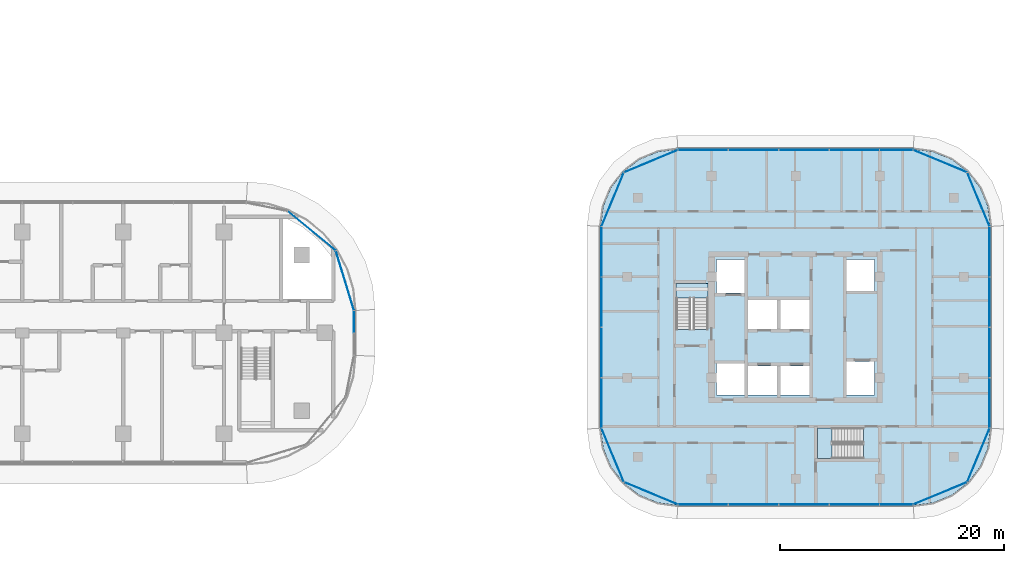
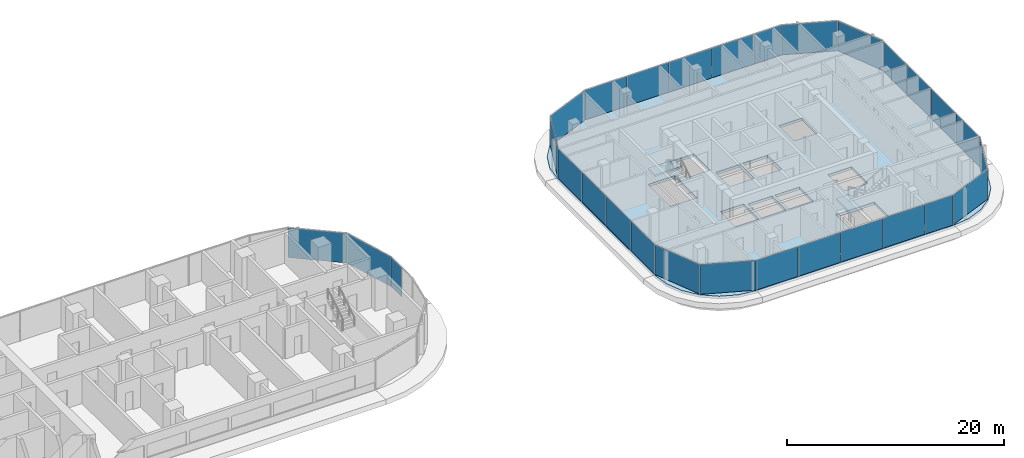
# One storey, part 16 of 36: 29 plates, 3 slabs, 12 elements without a shape of their own.
"""IFC4 building model written with IfcOpenShell, lengths in metres."""

from ifc_helpers import new_model, si_unit, direction, frame, origin, origin_2d, place, context, subcontext, project, spatial, polyline, rectangle, outline, extrude, material, layer, layer_set, type_object, element, aggregate, save


model = new_model("IFC4")

# Units and contexts
model_context = context("Model", 3, precision=1e-05, world=origin(), true_north=direction((0.0, 1.0)))
body_context = subcontext(model_context, "Body", "Model", "MODEL_VIEW")
ifc_project = project(units=[si_unit("LENGTHUNIT", "METRE"), si_unit("AREAUNIT", "SQUARE_METRE"), si_unit("VOLUMEUNIT", "CUBIC_METRE"), si_unit("PLANEANGLEUNIT", "RADIAN"), si_unit("MASSUNIT", "GRAM", prefix="KILO")], contexts=[model_context])

# Site, building, storey
site_placement = place(None, origin())
site = spatial("IfcSite", under=ifc_project, at=site_placement, CompositionType="ELEMENT")
building_placement = place(site_placement, origin())
building = spatial("IfcBuilding", under=site, at=building_placement, Name="Ogive Portal Towers", CompositionType="ELEMENT")
storey_placement = place(building_placement, frame((0.0, 0.0, 63.10009765625)))
storey = spatial("IfcBuildingStorey", under=building, at=storey_placement, Name="L14", CompositionType="ELEMENT", Elevation=63.10009765625)

# Curtain wall, plate
ifc_material_1 = material(Name="Glass, clear low-iron insulated glazing", Category="glass")
curtain_wall_type_1 = type_object("IfcCurtainWallType", Name="CW FRONT RIBBON 4500", PredefinedType="NOTDEFINED", material=ifc_material_1)
curtain_wall_1_placement = place(storey_placement, origin())
curtain_wall_1 = element("IfcCurtainWall", 1, at=curtain_wall_1_placement, inside=storey, type_object=curtain_wall_type_1, Name="A:L14:f12:cw0", PredefinedType="NOTDEFINED")
ifc_layer_1 = layer(ifc_material_1, 0.028076171875)
ifc_layer_set_1 = layer_set([ifc_layer_1], Name="CW PANEL IGU 28")
plate_type = type_object("IfcPlateType", Name="CW PANEL IGU 28", PredefinedType="CURTAIN_PANEL", material=ifc_layer_set_1)
plate_1_placement = place(storey_placement, frame((97.10009765625, 31.494140625, 0.0), z_axis=(0.0, 0.0, 1.0), x_axis=(0.0, 1.0, 0.0)))
plate_1 = element("IfcPlate", 2, at=plate_1_placement, type_object=plate_type, Name="panel", PredefinedType="CURTAIN_PANEL", context=body_context, shape_type="SweptSolid", body=[
    extrude(rectangle(XDim=1.92822265625, YDim=0.028076171875, at=origin_2d()), origin(), (0.0, 0.0, 1.0), 3.340087890625),
])
aggregate(curtain_wall_1, [plate_1])

# Curtain wall, plates
curtain_wall_2_placement = place(storey_placement, origin())
curtain_wall_2 = element("IfcCurtainWall", 3, at=curtain_wall_2_placement, inside=storey, type_object=curtain_wall_type_1, Name="A:L14:f13:cwa", PredefinedType="NOTDEFINED")
plate_2_placement = place(storey_placement, frame((96.28955078125, 35.159912109375, 0.0), z_axis=(0.0, 0.0, 1.0), x_axis=(-0.290284677254, 0.956940335732, 0.0)))
plate_2 = element("IfcPlate", 4, at=plate_2_placement, type_object=plate_type, Name="panel", PredefinedType="CURTAIN_PANEL", context=body_context, shape_type="SweptSolid", body=[
    extrude(rectangle(XDim=5.523681640625, YDim=0.028076171875, at=origin_2d()), origin(), (0.0, 0.0, 1.0), 3.340087890625),
])
plate_3_placement = place(storey_placement, frame((93.32421875, 39.60009765625, 0.0), z_axis=(0.0, 0.0, 1.0), x_axis=(-0.773010453363, 0.634393284164, 0.0)))
plate_3 = element("IfcPlate", 5, at=plate_3_placement, type_object=plate_type, Name="panel", PredefinedType="CURTAIN_PANEL", context=body_context, shape_type="SweptSolid", body=[
    extrude(rectangle(XDim=5.515625, YDim=0.028076171875, at=origin_2d()), origin(), (0.0, 0.0, 1.0), 3.340087890625),
])
aggregate(curtain_wall_2, [plate_2, plate_3])

curtain_wall_type_2 = type_object("IfcCurtainWallType", Name="CW RESIDENCES RIBBON", PredefinedType="NOTDEFINED", material=ifc_material_1)
curtain_wall_3_placement = place(storey_placement, origin())
curtain_wall_3 = element("IfcCurtainWall", 6, at=curtain_wall_3_placement, inside=storey, type_object=curtain_wall_type_2, Name="B:L14:f02:cw0", PredefinedType="NOTDEFINED")
plate_4_placement = place(storey_placement, frame((128.258056640625, 15.179931640625, 0.0), z_axis=(0.0, 0.0, 1.0), x_axis=(1.0, 0.0, 0.0)))
plate_4 = element("IfcPlate", 7, at=plate_4_placement, type_object=plate_type, Name="panel", PredefinedType="CURTAIN_PANEL", context=body_context, shape_type="SweptSolid", body=[
    extrude(rectangle(XDim=4.424072265625, YDim=0.028076171875, at=origin_2d()), origin(), (0.0, 0.0, 1.0), 3.340087890625),
])
plate_5_placement = place(storey_placement, frame((132.75, 15.179931640625, 0.0), z_axis=(0.0, 0.0, 1.0), x_axis=(1.0, 0.0, 0.0)))
plate_5 = element("IfcPlate", 8, at=plate_5_placement, type_object=plate_type, Name="panel", PredefinedType="CURTAIN_PANEL", context=body_context, shape_type="SweptSolid", body=[
    extrude(rectangle(XDim=4.43994140625, YDim=0.028076171875, at=origin_2d()), origin(), (0.0, 0.0, 1.0), 3.340087890625),
])
plate_6_placement = place(storey_placement, frame((137.25, 15.179931640625, 0.0), z_axis=(0.0, 0.0, 1.0), x_axis=(1.0, 0.0, 0.0)))
plate_6 = element("IfcPlate", 9, at=plate_6_placement, type_object=plate_type, Name="panel", PredefinedType="CURTAIN_PANEL", context=body_context, shape_type="SweptSolid", body=[
    extrude(rectangle(XDim=4.43994140625, YDim=0.028076171875, at=origin_2d()), origin(), (0.0, 0.0, 1.0), 3.340087890625),
])
plate_7_placement = place(storey_placement, frame((141.75, 15.179931640625, 0.0), z_axis=(0.0, 0.0, 1.0), x_axis=(1.0, 0.0, 0.0)))
plate_7 = element("IfcPlate", 10, at=plate_7_placement, type_object=plate_type, Name="panel", PredefinedType="CURTAIN_PANEL", context=body_context, shape_type="SweptSolid", body=[
    extrude(rectangle(XDim=4.43994140625, YDim=0.028076171875, at=origin_2d()), origin(), (0.0, 0.0, 1.0), 3.340087890625),
])
plate_8_placement = place(storey_placement, frame((145.491943359375, 15.179931640625, 0.0), z_axis=(0.0, 0.0, 1.0), x_axis=(1.0, 0.0, 0.0)))
plate_8 = element("IfcPlate", 11, at=plate_8_placement, type_object=plate_type, Name="panel", PredefinedType="CURTAIN_PANEL", context=body_context, shape_type="SweptSolid", body=[
    extrude(rectangle(XDim=2.924072265625, YDim=0.028076171875, at=origin_2d()), origin(), (0.0, 0.0, 1.0), 3.340087890625),
])
aggregate(curtain_wall_3, [plate_4, plate_5, plate_6, plate_7, plate_8])

curtain_wall_4_placement = place(storey_placement, origin())
curtain_wall_4 = element("IfcCurtainWall", 12, at=curtain_wall_4_placement, inside=storey, type_object=curtain_wall_type_2, Name="B:L14:f05:cw0", PredefinedType="NOTDEFINED")
plate_9_placement = place(storey_placement, frame((153.820068359375, 24.258056640625, 0.0), z_axis=(0.0, 0.0, 1.0), x_axis=(0.0, 1.0, 0.0)))
plate_9 = element("IfcPlate", 13, at=plate_9_placement, type_object=plate_type, Name="panel", PredefinedType="CURTAIN_PANEL", context=body_context, shape_type="SweptSolid", body=[
    extrude(rectangle(XDim=4.424072265625, YDim=0.028076171875, at=origin_2d()), origin(), (0.0, 0.0, 1.0), 3.340087890625),
])
plate_10_placement = place(storey_placement, frame((153.820068359375, 28.75, 0.0), z_axis=(0.0, 0.0, 1.0), x_axis=(0.0, 1.0, 0.0)))
plate_10 = element("IfcPlate", 14, at=plate_10_placement, type_object=plate_type, Name="panel", PredefinedType="CURTAIN_PANEL", context=body_context, shape_type="SweptSolid", body=[
    extrude(rectangle(XDim=4.43994140625, YDim=0.028076171875, at=origin_2d()), origin(), (0.0, 0.0, 1.0), 3.340087890625),
])
plate_11_placement = place(storey_placement, frame((153.820068359375, 33.25, 0.0), z_axis=(0.0, 0.0, 1.0), x_axis=(0.0, 1.0, 0.0)))
plate_11 = element("IfcPlate", 15, at=plate_11_placement, type_object=plate_type, Name="panel", PredefinedType="CURTAIN_PANEL", context=body_context, shape_type="SweptSolid", body=[
    extrude(rectangle(XDim=4.43994140625, YDim=0.028076171875, at=origin_2d()), origin(), (0.0, 0.0, 1.0), 3.340087890625),
])
plate_12_placement = place(storey_placement, frame((153.820068359375, 37.741943359375, 0.0), z_axis=(0.0, 0.0, 1.0), x_axis=(0.0, 1.0, 0.0)))
plate_12 = element("IfcPlate", 16, at=plate_12_placement, type_object=plate_type, Name="panel", PredefinedType="CURTAIN_PANEL", context=body_context, shape_type="SweptSolid", body=[
    extrude(rectangle(XDim=4.424072265625, YDim=0.028076171875, at=origin_2d()), origin(), (0.0, 0.0, 1.0), 3.340087890625),
])
aggregate(curtain_wall_4, [plate_9, plate_10, plate_11, plate_12])

curtain_wall_5_placement = place(storey_placement, origin())
curtain_wall_5 = element("IfcCurtainWall", 17, at=curtain_wall_5_placement, inside=storey, type_object=curtain_wall_type_2, Name="B:L14:f08:cw0", PredefinedType="NOTDEFINED")
plate_13_placement = place(storey_placement, frame((145.491943359375, 46.820068359375, 0.0), z_axis=(0.0, 0.0, 1.0), x_axis=(-1.0, 0.0, 0.0)))
plate_13 = element("IfcPlate", 18, at=plate_13_placement, type_object=plate_type, Name="panel", PredefinedType="CURTAIN_PANEL", context=body_context, shape_type="SweptSolid", body=[
    extrude(rectangle(XDim=2.924072265625, YDim=0.028076171875, at=origin_2d()), origin(), (0.0, 0.0, 1.0), 3.340087890625),
])
plate_14_placement = place(storey_placement, frame((141.75, 46.820068359375, 0.0), z_axis=(0.0, 0.0, 1.0), x_axis=(-1.0, 0.0, 0.0)))
plate_14 = element("IfcPlate", 19, at=plate_14_placement, type_object=plate_type, Name="panel", PredefinedType="CURTAIN_PANEL", context=body_context, shape_type="SweptSolid", body=[
    extrude(rectangle(XDim=4.43994140625, YDim=0.028076171875, at=origin_2d()), origin(), (0.0, 0.0, 1.0), 3.340087890625),
])
plate_15_placement = place(storey_placement, frame((137.25, 46.820068359375, 0.0), z_axis=(0.0, 0.0, 1.0), x_axis=(-1.0, 0.0, 0.0)))
plate_15 = element("IfcPlate", 20, at=plate_15_placement, type_object=plate_type, Name="panel", PredefinedType="CURTAIN_PANEL", context=body_context, shape_type="SweptSolid", body=[
    extrude(rectangle(XDim=4.43994140625, YDim=0.028076171875, at=origin_2d()), origin(), (0.0, 0.0, 1.0), 3.340087890625),
])
plate_16_placement = place(storey_placement, frame((132.75, 46.820068359375, 0.0), z_axis=(0.0, 0.0, 1.0), x_axis=(-1.0, 0.0, 0.0)))
plate_16 = element("IfcPlate", 21, at=plate_16_placement, type_object=plate_type, Name="panel", PredefinedType="CURTAIN_PANEL", context=body_context, shape_type="SweptSolid", body=[
    extrude(rectangle(XDim=4.43994140625, YDim=0.028076171875, at=origin_2d()), origin(), (0.0, 0.0, 1.0), 3.340087890625),
])
plate_17_placement = place(storey_placement, frame((128.258056640625, 46.820068359375, 0.0), z_axis=(0.0, 0.0, 1.0), x_axis=(-1.0, 0.0, 0.0)))
plate_17 = element("IfcPlate", 22, at=plate_17_placement, type_object=plate_type, Name="panel", PredefinedType="CURTAIN_PANEL", context=body_context, shape_type="SweptSolid", body=[
    extrude(rectangle(XDim=4.424072265625, YDim=0.028076171875, at=origin_2d()), origin(), (0.0, 0.0, 1.0), 3.340087890625),
])
aggregate(curtain_wall_5, [plate_13, plate_14, plate_15, plate_16, plate_17])

curtain_wall_6_placement = place(storey_placement, origin())
curtain_wall_6 = element("IfcCurtainWall", 23, at=curtain_wall_6_placement, inside=storey, type_object=curtain_wall_type_2, Name="B:L14:f11:cw0", PredefinedType="NOTDEFINED")
plate_18_placement = place(storey_placement, frame((119.179931640625, 37.741943359375, 0.0), z_axis=(0.0, 0.0, 1.0), x_axis=(0.0, -1.0, 0.0)))
plate_18 = element("IfcPlate", 24, at=plate_18_placement, type_object=plate_type, Name="panel", PredefinedType="CURTAIN_PANEL", context=body_context, shape_type="SweptSolid", body=[
    extrude(rectangle(XDim=4.424072265625, YDim=0.028076171875, at=origin_2d()), origin(), (0.0, 0.0, 1.0), 3.340087890625),
])
plate_19_placement = place(storey_placement, frame((119.179931640625, 33.25, 0.0), z_axis=(0.0, 0.0, 1.0), x_axis=(0.0, -1.0, 0.0)))
plate_19 = element("IfcPlate", 25, at=plate_19_placement, type_object=plate_type, Name="panel", PredefinedType="CURTAIN_PANEL", context=body_context, shape_type="SweptSolid", body=[
    extrude(rectangle(XDim=4.43994140625, YDim=0.028076171875, at=origin_2d()), origin(), (0.0, 0.0, 1.0), 3.340087890625),
])
plate_20_placement = place(storey_placement, frame((119.179931640625, 28.75, 0.0), z_axis=(0.0, 0.0, 1.0), x_axis=(0.0, -1.0, 0.0)))
plate_20 = element("IfcPlate", 26, at=plate_20_placement, type_object=plate_type, Name="panel", PredefinedType="CURTAIN_PANEL", context=body_context, shape_type="SweptSolid", body=[
    extrude(rectangle(XDim=4.43994140625, YDim=0.028076171875, at=origin_2d()), origin(), (0.0, 0.0, 1.0), 3.340087890625),
])
plate_21_placement = place(storey_placement, frame((119.179931640625, 24.258056640625, 0.0), z_axis=(0.0, 0.0, 1.0), x_axis=(0.0, -1.0, 0.0)))
plate_21 = element("IfcPlate", 27, at=plate_21_placement, type_object=plate_type, Name="panel", PredefinedType="CURTAIN_PANEL", context=body_context, shape_type="SweptSolid", body=[
    extrude(rectangle(XDim=4.424072265625, YDim=0.028076171875, at=origin_2d()), origin(), (0.0, 0.0, 1.0), 3.340087890625),
])
aggregate(curtain_wall_6, [plate_18, plate_19, plate_20, plate_21])

curtain_wall_7_placement = place(storey_placement, origin())
curtain_wall_7 = element("IfcCurtainWall", 28, at=curtain_wall_7_placement, inside=storey, type_object=curtain_wall_type_2, Name="B:L14:f00:cwa", PredefinedType="NOTDEFINED")
plate_22_placement = place(storey_placement, frame((120.18115234375, 19.59912109375, 0.0), z_axis=(0.0, 0.0, 1.0), x_axis=(0.382683432365, -0.923879532511, 0.0)))
plate_22 = element("IfcPlate", 29, at=plate_22_placement, type_object=plate_type, Name="panel", PredefinedType="CURTAIN_PANEL", context=body_context, shape_type="SweptSolid", body=[
    extrude(rectangle(XDim=5.171875, YDim=0.028076171875, at=origin_2d()), origin(), (0.0, 0.0, 1.0), 3.340087890625),
])
plate_23_placement = place(storey_placement, frame((123.59912109375, 16.18115234375, 0.0), z_axis=(0.0, 0.0, 1.0), x_axis=(0.923879532511, -0.382683432365, 0.0)))
plate_23 = element("IfcPlate", 30, at=plate_23_placement, type_object=plate_type, Name="panel", PredefinedType="CURTAIN_PANEL", context=body_context, shape_type="SweptSolid", body=[
    extrude(rectangle(XDim=5.171875, YDim=0.028076171875, at=origin_2d()), origin(), (0.0, 0.0, 1.0), 3.340087890625),
])
aggregate(curtain_wall_7, [plate_22, plate_23])

curtain_wall_8_placement = place(storey_placement, origin())
curtain_wall_8 = element("IfcCurtainWall", 31, at=curtain_wall_8_placement, inside=storey, type_object=curtain_wall_type_2, Name="B:L14:f03:cwa", PredefinedType="NOTDEFINED")
plate_24_placement = place(storey_placement, frame((149.40087890625, 16.18115234375, 0.0), z_axis=(0.0, 0.0, 1.0), x_axis=(0.923879532511, 0.382683432365, 0.0)))
plate_24 = element("IfcPlate", 32, at=plate_24_placement, type_object=plate_type, Name="panel", PredefinedType="CURTAIN_PANEL", context=body_context, shape_type="SweptSolid", body=[
    extrude(rectangle(XDim=5.171875, YDim=0.028076171875, at=origin_2d()), origin(), (0.0, 0.0, 1.0), 3.340087890625),
])
plate_25_placement = place(storey_placement, frame((152.81884765625, 19.59912109375, 0.0), z_axis=(0.0, 0.0, 1.0), x_axis=(0.382683432365, 0.923879532511, 0.0)))
plate_25 = element("IfcPlate", 33, at=plate_25_placement, type_object=plate_type, Name="panel", PredefinedType="CURTAIN_PANEL", context=body_context, shape_type="SweptSolid", body=[
    extrude(rectangle(XDim=5.171875, YDim=0.028076171875, at=origin_2d()), origin(), (0.0, 0.0, 1.0), 3.340087890625),
])
aggregate(curtain_wall_8, [plate_24, plate_25])

curtain_wall_9_placement = place(storey_placement, origin())
curtain_wall_9 = element("IfcCurtainWall", 34, at=curtain_wall_9_placement, inside=storey, type_object=curtain_wall_type_2, Name="B:L14:f06:cwa", PredefinedType="NOTDEFINED")
plate_26_placement = place(storey_placement, frame((152.81884765625, 42.40087890625, 0.0), z_axis=(0.0, 0.0, 1.0), x_axis=(-0.382683432365, 0.923879532511, 0.0)))
plate_26 = element("IfcPlate", 35, at=plate_26_placement, type_object=plate_type, Name="panel", PredefinedType="CURTAIN_PANEL", context=body_context, shape_type="SweptSolid", body=[
    extrude(rectangle(XDim=5.171875, YDim=0.028076171875, at=origin_2d()), origin(), (0.0, 0.0, 1.0), 3.340087890625),
])
plate_27_placement = place(storey_placement, frame((149.40087890625, 45.81884765625, 0.0), z_axis=(0.0, 0.0, 1.0), x_axis=(-0.923879532511, 0.382683432365, 0.0)))
plate_27 = element("IfcPlate", 36, at=plate_27_placement, type_object=plate_type, Name="panel", PredefinedType="CURTAIN_PANEL", context=body_context, shape_type="SweptSolid", body=[
    extrude(rectangle(XDim=5.171875, YDim=0.028076171875, at=origin_2d()), origin(), (0.0, 0.0, 1.0), 3.340087890625),
])
aggregate(curtain_wall_9, [plate_26, plate_27])

curtain_wall_10_placement = place(storey_placement, origin())
curtain_wall_10 = element("IfcCurtainWall", 37, at=curtain_wall_10_placement, inside=storey, type_object=curtain_wall_type_2, Name="B:L14:f09:cwa", PredefinedType="NOTDEFINED")
plate_28_placement = place(storey_placement, frame((123.59912109375, 45.81884765625, 0.0), z_axis=(0.0, 0.0, 1.0), x_axis=(-0.923879532511, -0.382683432365, 0.0)))
plate_28 = element("IfcPlate", 38, at=plate_28_placement, type_object=plate_type, Name="panel", PredefinedType="CURTAIN_PANEL", context=body_context, shape_type="SweptSolid", body=[
    extrude(rectangle(XDim=5.171875, YDim=0.028076171875, at=origin_2d()), origin(), (0.0, 0.0, 1.0), 3.340087890625),
])
plate_29_placement = place(storey_placement, frame((120.18115234375, 42.40087890625, 0.0), z_axis=(0.0, 0.0, 1.0), x_axis=(-0.382683432365, -0.923879532511, 0.0)))
plate_29 = element("IfcPlate", 39, at=plate_29_placement, type_object=plate_type, Name="panel", PredefinedType="CURTAIN_PANEL", context=body_context, shape_type="SweptSolid", body=[
    extrude(rectangle(XDim=5.171875, YDim=0.028076171875, at=origin_2d()), origin(), (0.0, 0.0, 1.0), 3.340087890625),
])
aggregate(curtain_wall_10, [plate_28, plate_29])

# Stair, slab
ifc_material_2 = material(Name="Concrete C40/50", Category="concrete")
stair_type = type_object("IfcStairType", Name="INT-STAIR", PredefinedType="HALF_TURN_STAIR", material=ifc_material_2)
stair_1_placement = place(storey_placement, origin())
stair_1 = element("IfcStair", 40, at=stair_1_placement, inside=storey, type_object=stair_type, Name="L14 Exit Stair ST-B1", PredefinedType="HALF_TURN_STAIR")
ifc_layer_2 = layer(ifc_material_2, 0.199951171875)
ifc_layer_set_2 = layer_set([ifc_layer_2], Name="INT-LANDING")
slab_type_1 = type_object("IfcSlabType", Name="INT-LANDING", PredefinedType="LANDING", material=ifc_layer_set_2)
slab_1_placement = place(storey_placement, frame((0.0, 0.0, 1.64990234375)))
slab_1 = element("IfcSlab", 41, at=slab_1_placement, type_object=slab_type_1, Name="ST-B1 landing 1", PredefinedType="LANDING", context=body_context, shape_type="SweptSolid", body=[
    extrude(outline(polyline([(128.699951171875, 33.60009765625), (128.699951171875, 34.89990234375), (125.85009765625, 34.89990234375), (125.85009765625, 33.60009765625), (128.699951171875, 33.60009765625)])), origin(), (0.0, 0.0, 1.0), 0.199951171875),
])
aggregate(stair_1, [slab_1])

stair_2_placement = place(storey_placement, origin())
stair_2 = element("IfcStair", 42, at=stair_2_placement, inside=storey, type_object=stair_type, Name="L14 Exit Stair ST-B2", PredefinedType="HALF_TURN_STAIR")
slab_2_placement = place(storey_placement, frame((0.0, 0.0, 1.64990234375)))
slab_2 = element("IfcSlab", 43, at=slab_2_placement, type_object=slab_type_1, Name="ST-B2 landing 1", PredefinedType="LANDING", context=body_context, shape_type="SweptSolid", body=[
    extrude(outline(polyline([(139.75, 22.0), (138.449951171875, 22.0), (138.449951171875, 19.300048828125), (139.75, 19.300048828125), (139.75, 22.0)])), origin(), (0.0, 0.0, 1.0), 0.199951171875),
])
aggregate(stair_2, [slab_2])

# Slab
ifc_material_3 = material(Name="Concrete C45/55", Category="concrete")
ifc_layer_3 = layer(ifc_material_3, 0.300048828125)
ifc_layer_set_3 = layer_set([ifc_layer_3], Name="PT FLAT PLATE 300")
slab_type_2 = type_object("IfcSlabType", Name="PT FLAT PLATE 300", PredefinedType="FLOOR", material=ifc_layer_set_3)
slab_3_placement = place(storey_placement, frame((0.0, 0.0, -0.300048828125)))
element("IfcSlab", 44, at=slab_3_placement, inside=storey, type_object=slab_type_2, Name="Floor slab L14", PredefinedType="FLOOR", context=body_context, shape_type="SweptSolid", body=[
    extrude(outline(polyline([(119.10009765625, 40.0), (119.10009765625, 22.0), (119.335205078125, 20.214111328125), (120.0244140625, 18.550048828125), (121.12109375, 17.12109375), (122.550048828125, 16.0244140625), (124.214111328125, 15.335205078125), (126.0, 15.10009765625), (147.0, 15.10009765625), (148.785888671875, 15.335205078125), (150.449951171875, 16.0244140625), (151.87890625, 17.12109375), (152.9755859375, 18.550048828125), (153.664794921875, 20.214111328125), (153.89990234375, 22.0), (153.89990234375, 40.0), (153.664794921875, 41.785888671875), (152.9755859375, 43.449951171875), (151.87890625, 44.87890625), (150.449951171875, 45.9755859375), (148.785888671875, 46.664794921875), (147.0, 46.89990234375), (126.0, 46.89990234375), (124.214111328125, 46.664794921875), (122.550048828125, 45.9755859375), (121.12109375, 44.87890625), (120.0244140625, 43.449951171875), (119.335205078125, 41.785888671875), (119.10009765625, 40.0)]), holes=[polyline([(131.949951171875, 27.75), (131.949951171875, 24.949951171875), (129.449951171875, 24.949951171875), (129.449951171875, 27.75), (131.949951171875, 27.75)]), polyline([(128.697998046875, 34.89794921875), (128.697998046875, 30.802001953125), (125.85205078125, 30.802001953125), (125.85205078125, 34.89794921875), (128.697998046875, 34.89794921875)]), polyline([(131.949951171875, 37.050048828125), (131.949951171875, 34.050048828125), (129.449951171875, 34.050048828125), (129.449951171875, 37.050048828125), (131.949951171875, 37.050048828125)]), polyline([(138.451904296875, 21.998046875), (142.548095703125, 21.998046875), (142.548095703125, 19.302001953125), (138.451904296875, 19.302001953125), (138.451904296875, 21.998046875)]), polyline([(134.85009765625, 27.550048828125), (134.85009765625, 24.949951171875), (132.25, 24.949951171875), (132.25, 27.550048828125), (134.85009765625, 27.550048828125)]), polyline([(137.75, 27.550048828125), (137.75, 24.949951171875), (135.14990234375, 24.949951171875), (135.14990234375, 27.550048828125), (137.75, 27.550048828125)]), polyline([(143.550048828125, 27.949951171875), (143.550048828125, 24.949951171875), (141.050048828125, 24.949951171875), (141.050048828125, 27.949951171875), (143.550048828125, 27.949951171875)]), polyline([(134.85009765625, 33.449951171875), (134.85009765625, 30.85009765625), (132.25, 30.85009765625), (132.25, 33.449951171875), (134.85009765625, 33.449951171875)]), polyline([(137.75, 33.449951171875), (137.75, 30.85009765625), (135.14990234375, 30.85009765625), (135.14990234375, 33.449951171875), (137.75, 33.449951171875)]), polyline([(141.050048828125, 37.050048828125), (143.550048828125, 37.050048828125), (143.550048828125, 34.25), (141.050048828125, 34.25), (141.050048828125, 37.050048828125)])]), origin(), (0.0, 0.0, 1.0), 0.300048828125),
])

save(model, "model.ifc")
